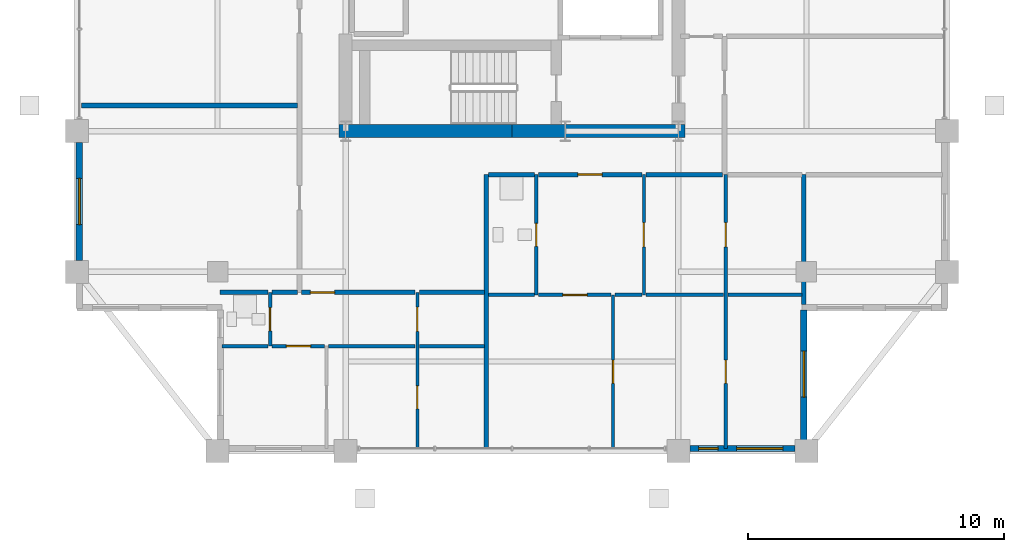
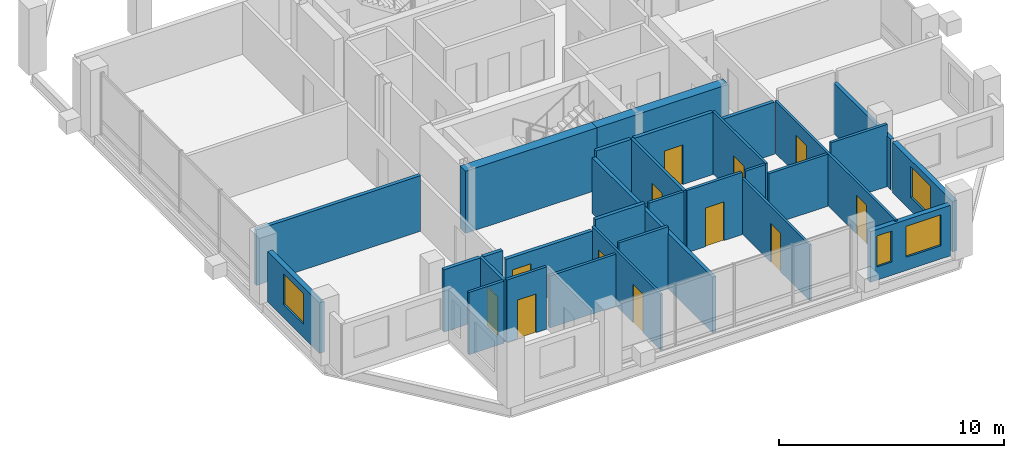
# One storey, part 12 of 16: 30 walls, 12 doors, 4 windows, 16 openings.
"""IFC4 building model written with IfcOpenShell, lengths in metres."""

from ifc_helpers import new_model, si_unit, direction, frame, frame_2d, origin, place, context, subcontext, project, spatial, rectangle, extrude, material, layer, layer_set, type_object, element, fill, save


model = new_model("IFC4")

# Units and contexts
model_context = context("Model", 3, precision=1e-05, world=origin(), true_north=direction((0.0, 1.0)))
body_context = subcontext(model_context, "Body", "Model", "MODEL_VIEW")
ifc_project = project(units=[si_unit("LENGTHUNIT", "METRE"), si_unit("AREAUNIT", "SQUARE_METRE"), si_unit("VOLUMEUNIT", "CUBIC_METRE"), si_unit("PLANEANGLEUNIT", "RADIAN"), si_unit("MASSUNIT", "GRAM", prefix="KILO")], contexts=[model_context])

# Site, building, storey
site_placement = place(None, origin())
site = spatial("IfcSite", under=ifc_project, at=site_placement, CompositionType="ELEMENT")
building_placement = place(site_placement, origin())
building = spatial("IfcBuilding", under=site, at=building_placement, Name="Barlavira Tower and Art Museum", CompositionType="ELEMENT")
storey_placement = place(building_placement, frame((0.0, 0.0, 265.5)))
storey = spatial("IfcBuildingStorey", under=building, at=storey_placement, Name="L69", CompositionType="ELEMENT", Elevation=265.5)

# Wall, openings, doors
ifc_material_1 = material(Name="Gypsum acoustic stud partition", Category="gypsum")
ifc_layer_1 = layer(ifc_material_1, 0.1201171875, Name="Gypsum acoustic stud partition")
ifc_layer_set_1 = layer_set([ifc_layer_1], Name="Gypsum acoustic stud partition")
wall_type_1 = type_object("IfcWallType", Name="Apartment Internal Acoustic Partition 120", PredefinedType="PARTITIONING", material=ifc_layer_set_1)
wall_1_placement = place(storey_placement, frame((-3.699951171875, -19.89990234375, 0.0), z_axis=(0.0, 0.0, 1.0), x_axis=(0.0, 1.0, 0.0)))
wall_1 = element("IfcWall", 1, at=wall_1_placement, inside=storey, type_object=wall_type_1, Name="L69 Partition Wall 6", PredefinedType="PARTITIONING", context=body_context, shape_type="SweptSolid", body=[
    extrude(rectangle(XDim=6.099853515625, YDim=0.1201171875, at=frame_2d((3.0498046875, 0.0))), origin(), (0.0, 0.0, 1.0), 3.01806640625),
])
opening_1_placement = place(wall_1_placement, frame((4.574951171875, 0.0, 0.0)))
opening_1 = element("IfcOpeningElement", 2, at=opening_1_placement, cuts=wall_1, Name="Opening D-02", PredefinedType="OPENING", context=body_context, shape_type="SweptSolid", body=[
    extrude(rectangle(XDim=0.949951171875, YDim=2.10009765625, at=frame_2d((0.47509765625, 1.050048828125))), frame((0.0, 0.070068359375, 0.0), z_axis=(0.0, -1.0, 0.0), x_axis=(1.0, 0.0, 0.0)), (0.0, 0.0, 1.0), 0.14013671875),
])
opening_2_placement = place(wall_1_placement, frame((1.550048828125, 0.0, 0.0)))
opening_2 = element("IfcOpeningElement", 3, at=opening_2_placement, cuts=wall_1, Name="Opening D-01", PredefinedType="OPENING", context=body_context, shape_type="SweptSolid", body=[
    extrude(rectangle(XDim=0.89990234375, YDim=2.10009765625, at=frame_2d((0.449951171875, 1.050048828125))), frame((0.0, 0.070068359375, 0.0), z_axis=(0.0, -1.0, 0.0), x_axis=(1.0, 0.0, 0.0)), (0.0, 0.0, 1.0), 0.14013671875),
])
ifc_material_2 = material(Name="Engineered coastal hardwood", Category="wood")
door_type_1 = type_object("IfcDoorType", Name="Internal Bedroom Timber Flush Door 900x2100", OperationType="NOTDEFINED", PredefinedType="DOOR", material=ifc_material_2)
door_1_placement = place(opening_2_placement, origin())
door_1 = element("IfcDoor", 4, at=door_1_placement, inside=storey, type_object=door_type_1, Name="Apartment WP-SW Bedroom 2 Door", OperationType="SINGLE_SWING_LEFT", OverallHeight=2.10009765625, OverallWidth=0.89990234375, PredefinedType="DOOR", context=body_context, shape_type="SweptSolid", body=[
    extrude(rectangle(XDim=0.89990234375, YDim=2.10009765625, at=frame_2d((0.449951171875, 1.050048828125))), frame((0.0, 0.02490234375, 0.0), z_axis=(0.0, -1.0, 0.0), x_axis=(1.0, 0.0, 0.0)), (0.0, 0.0, 1.0), 0.050048828125),
])
fill(opening_2, door_1)
door_type_2 = type_object("IfcDoorType", Name="Living and Salon Glazed-Leaf Door 950x2100", OperationType="NOTDEFINED", PredefinedType="DOOR", material=ifc_material_2)
door_2_placement = place(opening_1_placement, origin())
door_2 = element("IfcDoor", 5, at=door_2_placement, inside=storey, type_object=door_type_2, Name="Apartment WP-SW Kitchen Door", OperationType="SINGLE_SWING_RIGHT", OverallHeight=2.10009765625, OverallWidth=0.949951171875, PredefinedType="DOOR", context=body_context, shape_type="SweptSolid", body=[
    extrude(rectangle(XDim=0.949951171875, YDim=2.10009765625, at=frame_2d((0.47509765625, 1.050048828125))), frame((0.0, 0.02490234375, 0.0), z_axis=(0.0, -1.0, 0.0), x_axis=(1.0, 0.0, 0.0)), (0.0, 0.0, 1.0), 0.050048828125),
])
fill(opening_1, door_2)

# Wall, opening, door
wall_2_placement = place(storey_placement, frame((3.949951171875, -19.89990234375, 0.0), z_axis=(0.0, 0.0, 1.0), x_axis=(0.0, 1.0, 0.0)))
wall_2 = element("IfcWall", 6, at=wall_2_placement, inside=storey, type_object=wall_type_1, Name="L69 Partition Wall 9", PredefinedType="PARTITIONING", context=body_context, shape_type="SweptSolid", body=[
    extrude(rectangle(XDim=6.0, YDim=0.1201171875, at=frame_2d((3.0, 0.0))), origin(), (0.0, 0.0, 1.0), 3.01806640625),
])
opening_3_placement = place(wall_2_placement, frame((2.550048828125, 0.0, 0.0)))
opening_3 = element("IfcOpeningElement", 7, at=opening_3_placement, cuts=wall_2, Name="Opening D-01", PredefinedType="OPENING", context=body_context, shape_type="SweptSolid", body=[
    extrude(rectangle(XDim=0.89990234375, YDim=2.10009765625, at=frame_2d((0.449951171875, 1.050048828125))), frame((0.0, 0.070068359375, 0.0), z_axis=(0.0, -1.0, 0.0), x_axis=(1.0, 0.0, 0.0)), (0.0, 0.0, 1.0), 0.14013671875),
])
door_3_placement = place(opening_3_placement, origin())
door_3 = element("IfcDoor", 8, at=door_3_placement, inside=storey, type_object=door_type_1, Name="Apartment WP-SE Bedroom 1 Door", OperationType="SINGLE_SWING_LEFT", OverallHeight=2.10009765625, OverallWidth=0.89990234375, PredefinedType="DOOR", context=body_context, shape_type="SweptSolid", body=[
    extrude(rectangle(XDim=0.89990234375, YDim=2.10009765625, at=frame_2d((0.449951171875, 1.050048828125))), frame((0.0, 0.02490234375, 0.0), z_axis=(0.0, -1.0, 0.0), x_axis=(1.0, 0.0, 0.0)), (0.0, 0.0, 1.0), 0.050048828125),
])
fill(opening_3, door_3)

wall_3_placement = place(storey_placement, frame((5.14990234375, -13.89990234375, 0.0), z_axis=(0.0, 0.0, 1.0), x_axis=(0.0, 1.0, 0.0)))
wall_3 = element("IfcWall", 9, at=wall_3_placement, inside=storey, type_object=wall_type_1, Name="L69 Partition Wall 12", PredefinedType="PARTITIONING", context=body_context, shape_type="SweptSolid", body=[
    extrude(rectangle(XDim=4.699951171875, YDim=0.1201171875, at=frame_2d((2.35009765625, 0.0))), origin(), (0.0, 0.0, 1.0), 3.3798828125),
])
opening_4_placement = place(wall_3_placement, frame((1.875, 0.0, 0.0)))
opening_4 = element("IfcOpeningElement", 10, at=opening_4_placement, cuts=wall_3, Name="Opening D-02", PredefinedType="OPENING", context=body_context, shape_type="SweptSolid", body=[
    extrude(rectangle(XDim=0.949951171875, YDim=2.10009765625, at=frame_2d((0.47509765625, 1.050048828125))), frame((0.0, 0.070068359375, 0.0), z_axis=(0.0, -1.0, 0.0), x_axis=(1.0, 0.0, 0.0)), (0.0, 0.0, 1.0), 0.14013671875),
])
door_4_placement = place(opening_4_placement, origin())
door_4 = element("IfcDoor", 11, at=door_4_placement, inside=storey, type_object=door_type_2, Name="Apartment WP-SE Kitchen Door", OperationType="SINGLE_SWING_RIGHT", OverallHeight=2.10009765625, OverallWidth=0.949951171875, PredefinedType="DOOR", context=body_context, shape_type="SweptSolid", body=[
    extrude(rectangle(XDim=0.949951171875, YDim=2.10009765625, at=frame_2d((0.47509765625, 1.050048828125))), frame((0.0, 0.02490234375, 0.0), z_axis=(0.0, -1.0, 0.0), x_axis=(1.0, 0.0, 0.0)), (0.0, 0.0, 1.0), 0.050048828125),
])
fill(opening_4, door_4)

# Wall, openings, doors
wall_4_placement = place(storey_placement, frame((8.35009765625, -19.89990234375, 0.0), z_axis=(0.0, 0.0, 1.0), x_axis=(0.0, 1.0, 0.0)))
wall_4 = element("IfcWall", 12, at=wall_4_placement, inside=storey, type_object=wall_type_1, Name="L69 Partition Wall 17", PredefinedType="PARTITIONING", context=body_context, shape_type="SweptSolid", body=[
    extrude(rectangle(XDim=10.699951171875, YDim=0.1201171875, at=frame_2d((5.35009765625, 0.0))), origin(), (0.0, 0.0, 1.0), 2.825927734375),
])
opening_5_placement = place(wall_4_placement, frame((7.875, 0.0, 0.0)))
opening_5 = element("IfcOpeningElement", 13, at=opening_5_placement, cuts=wall_4, Name="Opening D-02", PredefinedType="OPENING", context=body_context, shape_type="SweptSolid", body=[
    extrude(rectangle(XDim=0.949951171875, YDim=2.10009765625, at=frame_2d((0.47509765625, 1.050048828125))), frame((0.0, 0.070068359375, 0.0), z_axis=(0.0, -1.0, 0.0), x_axis=(1.0, 0.0, 0.0)), (0.0, 0.0, 1.0), 0.14013671875),
])
opening_6_placement = place(wall_4_placement, frame((2.550048828125, 0.0, 0.0)))
opening_6 = element("IfcOpeningElement", 14, at=opening_6_placement, cuts=wall_4, Name="Opening D-01", PredefinedType="OPENING", context=body_context, shape_type="SweptSolid", body=[
    extrude(rectangle(XDim=0.89990234375, YDim=2.10009765625, at=frame_2d((0.449951171875, 1.050048828125))), frame((0.0, 0.070068359375, 0.0), z_axis=(0.0, -1.0, 0.0), x_axis=(1.0, 0.0, 0.0)), (0.0, 0.0, 1.0), 0.14013671875),
])
door_5_placement = place(opening_6_placement, origin())
door_5 = element("IfcDoor", 15, at=door_5_placement, inside=storey, type_object=door_type_1, Name="Apartment WP-SE Bedroom 2 Door", OperationType="SINGLE_SWING_RIGHT", OverallHeight=2.10009765625, OverallWidth=0.89990234375, PredefinedType="DOOR", context=body_context, shape_type="SweptSolid", body=[
    extrude(rectangle(XDim=0.89990234375, YDim=2.10009765625, at=frame_2d((0.449951171875, 1.050048828125))), frame((0.0, 0.02490234375, 0.0), z_axis=(0.0, -1.0, 0.0), x_axis=(1.0, 0.0, 0.0)), (0.0, 0.0, 1.0), 0.050048828125),
])
fill(opening_6, door_5)
door_6_placement = place(opening_5_placement, origin())
door_6 = element("IfcDoor", 16, at=door_6_placement, inside=storey, type_object=door_type_2, Name="Apartment WP-SE Dining Salon Door", OperationType="SINGLE_SWING_LEFT", OverallHeight=2.10009765625, OverallWidth=0.949951171875, PredefinedType="DOOR", context=body_context, shape_type="SweptSolid", body=[
    extrude(rectangle(XDim=0.949951171875, YDim=2.10009765625, at=frame_2d((0.47509765625, 1.050048828125))), frame((0.0, 0.02490234375, 0.0), z_axis=(0.0, -1.0, 0.0), x_axis=(1.0, 0.0, 0.0)), (0.0, 0.0, 1.0), 0.050048828125),
])
fill(opening_5, door_6)

# Walls
ifc_material_3 = material(Name="Concrete C60", Category="concrete")
ifc_layer_2 = layer(ifc_material_3, 0.5, Name="Concrete C60")
ifc_layer_set_2 = layer_set([ifc_layer_2], Name="Concrete C60")
wall_type_2 = type_object("IfcWallType", Name="Core Structural Shear Wall 500 Concrete C60", PredefinedType="SHEAR", material=ifc_layer_set_2)
for number, where, z_axis, x_axis, name in (
    (17, (-6.75, -7.5, 0.0), (0.0, 0.0, 1.0), (1.0, 0.0, 0.0), "L69 Core Shear Wall CS-SW"),
    (18, (0.0, -7.5, 0.0), (0.0, 0.0, 1.0), (1.0, 0.0, 0.0), "L69 Core Shear Wall CS-SE"),
):
    element("IfcWall", number, at=place(storey_placement, frame(where, z_axis=z_axis, x_axis=x_axis)), inside=storey, type_object=wall_type_2, Name=name, PredefinedType="SHEAR", context=body_context, shape_type="SweptSolid", body=[
        extrude(rectangle(XDim=6.75, YDim=0.5, at=frame_2d((3.375, 0.0))), origin(), (0.0, 0.0, 1.0), 3.3798828125),
    ])
ifc_layer_3 = layer(ifc_material_1, 0.179931640625, Name="Gypsum acoustic stud partition")
ifc_layer_set_3 = layer_set([ifc_layer_3], Name="Gypsum acoustic stud partition")
wall_type_3 = type_object("IfcWallType", Name="Inter-Tenancy Party Partition Wall 180", PredefinedType="PARTITIONING", material=ifc_layer_set_3)
wall_5_placement = place(storey_placement, frame((-1.0, -19.89990234375, 0.0), z_axis=(0.0, 0.0, 1.0), x_axis=(0.0, 1.0, 0.0)))
element("IfcWall", 19, at=wall_5_placement, inside=storey, type_object=wall_type_3, Name="L69 Partition Wall 7", PredefinedType="PARTITIONING", context=body_context, shape_type="SweptSolid", body=[
    extrude(rectangle(XDim=10.699951171875, YDim=0.179931640625, at=frame_2d((5.35009765625, 0.0))), origin(), (0.0, 0.0, 1.0), 3.01806640625),
])
wall_6_placement = place(storey_placement, frame((11.39990234375, -14.27001953125, 0.0), z_axis=(0.0, 0.0, 1.0), x_axis=(0.0, 1.0, 0.0)))
element("IfcWall", 20, at=wall_6_placement, inside=storey, type_object=wall_type_3, Name="L69 Partition Wall 19", PredefinedType="PARTITIONING", context=body_context, shape_type="SweptSolid", body=[
    extrude(rectangle(XDim=5.070068359375, YDim=0.179931640625, at=frame_2d((2.53515625, 0.0))), origin(), (0.0, 0.0, 1.0), 2.748046875),
])
wall_7_placement = place(storey_placement, frame((-11.39990234375, -13.800048828125, 0.0), z_axis=(0.0, 0.0, 1.0), x_axis=(1.0, 0.0, 0.0)))
element("IfcWall", 21, at=wall_7_placement, inside=storey, type_object=wall_type_3, Name="L69 Partition Wall 29", PredefinedType="PARTITIONING", context=body_context, shape_type="SweptSolid", body=[
    extrude(rectangle(XDim=1.869873046875, YDim=0.179931640625, at=frame_2d((0.93505859375, 0.0))), origin(), (0.0, 0.0, 1.0), 3.3798828125),
])
wall_8_placement = place(storey_placement, frame((-9.3701171875, -13.800048828125, 0.0), z_axis=(0.0, 0.0, 1.0), x_axis=(1.0, 0.0, 0.0)))
element("IfcWall", 22, at=wall_8_placement, inside=storey, type_object=wall_type_3, Name="L69 Partition Wall 30", PredefinedType="PARTITIONING", context=body_context, shape_type="SweptSolid", body=[
    extrude(rectangle(XDim=0.990234375, YDim=0.179931640625, at=frame_2d((0.4951171875, 0.0))), origin(), (0.0, 0.0, 1.0), 3.3798828125),
])

# Wall, opening, door
wall_9_placement = place(storey_placement, frame((-8.219970703125, -13.800048828125, 0.0), z_axis=(0.0, 0.0, 1.0), x_axis=(1.0, 0.0, 0.0)))
wall_9 = element("IfcWall", 23, at=wall_9_placement, inside=storey, type_object=wall_type_3, Name="L69 Partition Wall 31", PredefinedType="PARTITIONING", context=body_context, shape_type="SweptSolid", body=[
    extrude(rectangle(XDim=4.43994140625, YDim=0.179931640625, at=frame_2d((2.219970703125, 0.0))), origin(), (0.0, 0.0, 1.0), 2.825927734375),
])
opening_7_placement = place(wall_9_placement, frame((0.344970703125, 0.0, 0.0)))
opening_7 = element("IfcOpeningElement", 24, at=opening_7_placement, cuts=wall_9, Name="Opening FD-60", PredefinedType="OPENING", context=body_context, shape_type="SweptSolid", body=[
    extrude(rectangle(XDim=0.949951171875, YDim=2.14990234375, at=frame_2d((0.47509765625, 1.074951171875))), frame((0.0, 0.10009765625, 0.0), z_axis=(0.0, -1.0, 0.0), x_axis=(1.0, 0.0, 0.0)), (0.0, 0.0, 1.0), 0.199951171875),
])
ifc_material_4 = material(Name="Brushed stainless steel", Category="steel")
door_type_3 = type_object("IfcDoorType", Name="Apartment Entrance and Riser Fire Door 950x2150 FD60S", OperationType="NOTDEFINED", PredefinedType="DOOR", material=ifc_material_4)
door_7_placement = place(opening_7_placement, origin())
door_7 = element("IfcDoor", 25, at=door_7_placement, inside=storey, type_object=door_type_3, Name="Apartment Entrance Hall WP-SW Door", OperationType="SINGLE_SWING_LEFT", OverallHeight=2.14990234375, OverallWidth=0.949951171875, PredefinedType="DOOR", context=body_context, shape_type="SweptSolid", body=[
    extrude(rectangle(XDim=0.949951171875, YDim=2.14990234375, at=frame_2d((0.47509765625, 1.074951171875))), frame((0.0, 0.02490234375, 0.0), z_axis=(0.0, -1.0, 0.0), x_axis=(1.0, 0.0, 0.0)), (0.0, 0.0, 1.0), 0.050048828125),
])
fill(opening_7, door_7)

# Walls
wall_10_placement = place(storey_placement, frame((-3.6201171875, -13.800048828125, 0.0), z_axis=(0.0, 0.0, 1.0), x_axis=(1.0, 0.0, 0.0)))
element("IfcWall", 26, at=wall_10_placement, inside=storey, type_object=wall_type_3, Name="L69 Partition Wall 32", PredefinedType="PARTITIONING", context=body_context, shape_type="SweptSolid", body=[
    extrude(rectangle(XDim=2.5400390625, YDim=0.179931640625, at=frame_2d((1.27001953125, 0.0))), origin(), (0.0, 0.0, 1.0), 3.3798828125),
])
wall_11_placement = place(storey_placement, frame((-0.919921875, -9.199951171875, 0.0), z_axis=(0.0, 0.0, 1.0), x_axis=(1.0, 0.0, 0.0)))
element("IfcWall", 27, at=wall_11_placement, inside=storey, type_object=wall_type_3, Name="L69 Partition Wall 33", PredefinedType="PARTITIONING", context=body_context, shape_type="SweptSolid", body=[
    extrude(rectangle(XDim=1.7900390625, YDim=0.179931640625, at=frame_2d((0.89501953125, 0.0))), origin(), (0.0, 0.0, 1.0), 3.3798828125),
])

# Wall, opening, door
wall_12_placement = place(storey_placement, frame((1.030029296875, -9.199951171875, 0.0), z_axis=(0.0, 0.0, 1.0), x_axis=(1.0, 0.0, 0.0)))
wall_12 = element("IfcWall", 28, at=wall_12_placement, inside=storey, type_object=wall_type_3, Name="L69 Partition Wall 34", PredefinedType="PARTITIONING", context=body_context, shape_type="SweptSolid", body=[
    extrude(rectangle(XDim=4.0400390625, YDim=0.179931640625, at=frame_2d((2.02001953125, 0.0))), origin(), (0.0, 0.0, 1.0), 3.3798828125),
])
opening_8_placement = place(wall_12_placement, frame((1.544921875, 0.0, 0.0)))
opening_8 = element("IfcOpeningElement", 29, at=opening_8_placement, cuts=wall_12, Name="Opening FD-60", PredefinedType="OPENING", context=body_context, shape_type="SweptSolid", body=[
    extrude(rectangle(XDim=0.949951171875, YDim=2.14990234375, at=frame_2d((0.47509765625, 1.074951171875))), frame((0.0, 0.10009765625, 0.0), z_axis=(0.0, -1.0, 0.0), x_axis=(1.0, 0.0, 0.0)), (0.0, 0.0, 1.0), 0.199951171875),
])
door_8_placement = place(opening_8_placement, origin())
door_8 = element("IfcDoor", 30, at=door_8_placement, inside=storey, type_object=door_type_3, Name="Apartment Entrance Hall WP-SE Door", OperationType="SINGLE_SWING_LEFT", OverallHeight=2.14990234375, OverallWidth=0.949951171875, PredefinedType="DOOR", context=body_context, shape_type="SweptSolid", body=[
    extrude(rectangle(XDim=0.949951171875, YDim=2.14990234375, at=frame_2d((0.47509765625, 1.074951171875))), frame((0.0, 0.02490234375, 0.0), z_axis=(0.0, -1.0, 0.0), x_axis=(1.0, 0.0, 0.0)), (0.0, 0.0, 1.0), 0.050048828125),
])
fill(opening_8, door_8)

# Walls
wall_13_placement = place(storey_placement, frame((5.22998046875, -9.199951171875, 0.0), z_axis=(0.0, 0.0, 1.0), x_axis=(1.0, 0.0, 0.0)))
element("IfcWall", 31, at=wall_13_placement, inside=storey, type_object=wall_type_3, Name="L69 Partition Wall 35", PredefinedType="PARTITIONING", context=body_context, shape_type="SweptSolid", body=[
    extrude(rectangle(XDim=2.989990234375, YDim=0.179931640625, at=frame_2d((1.4951171875, 0.0))), origin(), (0.0, 0.0, 1.0), 2.825927734375),
])
wall_14_placement = place(storey_placement, frame((-16.820068359375, -6.5, 0.0), z_axis=(0.0, 0.0, 1.0), x_axis=(1.0, 0.0, 0.0)))
element("IfcWall", 32, at=wall_14_placement, inside=storey, type_object=wall_type_3, Name="L69 Partition Wall 38", PredefinedType="PARTITIONING", context=body_context, shape_type="SweptSolid", body=[
    extrude(rectangle(XDim=8.440185546875, YDim=0.179931640625, at=frame_2d((4.22021484375, 0.0))), origin(), (0.0, 0.0, 1.0), 3.01806640625),
])

# Wall, opening, door
ifc_layer_4 = layer(ifc_material_1, 0.139892578125, Name="Gypsum acoustic stud partition")
ifc_layer_set_4 = layer_set([ifc_layer_4], Name="Gypsum acoustic stud partition")
wall_type_4 = type_object("IfcWallType", Name="Moisture-Resistant Bathroom Partition 140", PredefinedType="PARTITIONING", material=ifc_layer_set_4)
wall_15_placement = place(storey_placement, frame((-9.449951171875, -15.89990234375, 0.0), z_axis=(0.0, 0.0, 1.0), x_axis=(0.0, 1.0, 0.0)))
wall_15 = element("IfcWall", 33, at=wall_15_placement, inside=storey, type_object=wall_type_4, Name="L69 Partition Wall 1", PredefinedType="PARTITIONING", context=body_context, shape_type="SweptSolid", body=[
    extrude(rectangle(XDim=2.099853515625, YDim=0.139892578125, at=frame_2d((1.0498046875, 0.0))), origin(), (0.0, 0.0, 1.0), 3.3798828125),
])
opening_9_placement = place(wall_15_placement, frame((0.60009765625, 0.0, 0.0)))
opening_9 = element("IfcOpeningElement", 34, at=opening_9_placement, cuts=wall_15, Name="Opening D-WC", PredefinedType="OPENING", context=body_context, shape_type="SweptSolid", body=[
    extrude(rectangle(XDim=0.89990234375, YDim=2.10009765625, at=frame_2d((0.449951171875, 1.050048828125))), frame((0.0, 0.080078125, 0.0), z_axis=(0.0, -1.0, 0.0), x_axis=(1.0, 0.0, 0.0)), (0.0, 0.0, 1.0), 0.159912109375),
])
door_type_4 = type_object("IfcDoorType", Name="Accessible Bathroom Flush Door 900x2100", OperationType="NOTDEFINED", PredefinedType="DOOR", material=ifc_material_2)
door_9_placement = place(opening_9_placement, origin())
door_9 = element("IfcDoor", 35, at=door_9_placement, inside=storey, type_object=door_type_4, Name="Apartment WP-SW Hall Bathroom Door", OperationType="SINGLE_SWING_RIGHT", OverallHeight=2.10009765625, OverallWidth=0.89990234375, PredefinedType="DOOR", context=body_context, shape_type="SweptSolid", body=[
    extrude(rectangle(XDim=0.89990234375, YDim=2.10009765625, at=frame_2d((0.449951171875, 1.050048828125))), frame((0.0, 0.02490234375, 0.0), z_axis=(0.0, -1.0, 0.0), x_axis=(1.0, 0.0, 0.0)), (0.0, 0.0, 1.0), 0.050048828125),
])
fill(opening_9, door_9)

wall_16_placement = place(storey_placement, frame((0.949951171875, -13.89990234375, 0.0), z_axis=(0.0, 0.0, 1.0), x_axis=(0.0, 1.0, 0.0)))
wall_16 = element("IfcWall", 36, at=wall_16_placement, inside=storey, type_object=wall_type_4, Name="L69 Partition Wall 8", PredefinedType="PARTITIONING", context=body_context, shape_type="SweptSolid", body=[
    extrude(rectangle(XDim=4.699951171875, YDim=0.139892578125, at=frame_2d((2.35009765625, 0.0))), origin(), (0.0, 0.0, 1.0), 3.3798828125),
])
opening_10_placement = place(wall_16_placement, frame((1.89990234375, 0.0, 0.0)))
opening_10 = element("IfcOpeningElement", 37, at=opening_10_placement, cuts=wall_16, Name="Opening D-WC", PredefinedType="OPENING", context=body_context, shape_type="SweptSolid", body=[
    extrude(rectangle(XDim=0.89990234375, YDim=2.10009765625, at=frame_2d((0.449951171875, 1.050048828125))), frame((0.0, 0.080078125, 0.0), z_axis=(0.0, -1.0, 0.0), x_axis=(1.0, 0.0, 0.0)), (0.0, 0.0, 1.0), 0.159912109375),
])
door_10_placement = place(opening_10_placement, origin())
door_10 = element("IfcDoor", 38, at=door_10_placement, inside=storey, type_object=door_type_4, Name="Apartment WP-SE Hall Bathroom Door", OperationType="SINGLE_SWING_RIGHT", OverallHeight=2.10009765625, OverallWidth=0.89990234375, PredefinedType="DOOR", context=body_context, shape_type="SweptSolid", body=[
    extrude(rectangle(XDim=0.89990234375, YDim=2.10009765625, at=frame_2d((0.449951171875, 1.050048828125))), frame((0.0, 0.02490234375, 0.0), z_axis=(0.0, -1.0, 0.0), x_axis=(1.0, 0.0, 0.0)), (0.0, 0.0, 1.0), 0.050048828125),
])
fill(opening_10, door_10)

# Wall
wall_17_placement = place(storey_placement, frame((-11.320068359375, -15.89990234375, 0.0), z_axis=(0.0, 0.0, 1.0), x_axis=(1.0, 0.0, 0.0)))
element("IfcWall", 39, at=wall_17_placement, inside=storey, type_object=wall_type_4, Name="L69 Partition Wall 20", PredefinedType="PARTITIONING", context=body_context, shape_type="SweptSolid", body=[
    extrude(rectangle(XDim=1.7900390625, YDim=0.139892578125, at=frame_2d((0.89501953125, 0.0))), origin(), (0.0, 0.0, 1.0), 3.3798828125),
])

# Wall, opening, door
wall_18_placement = place(storey_placement, frame((-9.3701171875, -15.89990234375, 0.0), z_axis=(0.0, 0.0, 1.0), x_axis=(1.0, 0.0, 0.0)))
wall_18 = element("IfcWall", 40, at=wall_18_placement, inside=storey, type_object=wall_type_4, Name="L69 Partition Wall 21", PredefinedType="PARTITIONING", context=body_context, shape_type="SweptSolid", body=[
    extrude(rectangle(XDim=2.0400390625, YDim=0.139892578125, at=frame_2d((1.02001953125, 0.0))), origin(), (0.0, 0.0, 1.0), 3.3798828125),
])
opening_11_placement = place(wall_18_placement, frame((0.554931640625, 0.0, 0.0)))
opening_11 = element("IfcOpeningElement", 41, at=opening_11_placement, cuts=wall_18, Name="Opening D-02", PredefinedType="OPENING", context=body_context, shape_type="SweptSolid", body=[
    extrude(rectangle(XDim=0.949951171875, YDim=2.10009765625, at=frame_2d((0.47509765625, 1.050048828125))), frame((0.0, 0.080078125, 0.0), z_axis=(0.0, -1.0, 0.0), x_axis=(1.0, 0.0, 0.0)), (0.0, 0.0, 1.0), 0.159912109375),
])
door_11_placement = place(opening_11_placement, origin())
door_11 = element("IfcDoor", 42, at=door_11_placement, inside=storey, type_object=door_type_2, Name="Apartment WP-SW Living Lounge Door", OperationType="SINGLE_SWING_LEFT", OverallHeight=2.10009765625, OverallWidth=0.949951171875, PredefinedType="DOOR", context=body_context, shape_type="SweptSolid", body=[
    extrude(rectangle(XDim=0.949951171875, YDim=2.10009765625, at=frame_2d((0.47509765625, 1.050048828125))), frame((0.0, 0.02490234375, 0.0), z_axis=(0.0, -1.0, 0.0), x_axis=(1.0, 0.0, 0.0)), (0.0, 0.0, 1.0), 0.050048828125),
])
fill(opening_11, door_11)

# Walls
wall_19_placement = place(storey_placement, frame((-7.169921875, -15.89990234375, 0.0), z_axis=(0.0, 0.0, 1.0), x_axis=(1.0, 0.0, 0.0)))
element("IfcWall", 43, at=wall_19_placement, inside=storey, type_object=wall_type_4, Name="L69 Partition Wall 22", PredefinedType="PARTITIONING", context=body_context, shape_type="SweptSolid", body=[
    extrude(rectangle(XDim=3.389892578125, YDim=0.139892578125, at=frame_2d((1.69482421875, 0.0))), origin(), (0.0, 0.0, 1.0), 2.825927734375),
])
wall_20_placement = place(storey_placement, frame((-3.6201171875, -15.89990234375, 0.0), z_axis=(0.0, 0.0, 1.0), x_axis=(1.0, 0.0, 0.0)))
element("IfcWall", 44, at=wall_20_placement, inside=storey, type_object=wall_type_4, Name="L69 Partition Wall 23", PredefinedType="PARTITIONING", context=body_context, shape_type="SweptSolid", body=[
    extrude(rectangle(XDim=2.5400390625, YDim=0.139892578125, at=frame_2d((1.27001953125, 0.0))), origin(), (0.0, 0.0, 1.0), 3.3798828125),
])
wall_21_placement = place(storey_placement, frame((-0.919921875, -13.89990234375, 0.0), z_axis=(0.0, 0.0, 1.0), x_axis=(1.0, 0.0, 0.0)))
element("IfcWall", 45, at=wall_21_placement, inside=storey, type_object=wall_type_4, Name="L69 Partition Wall 24", PredefinedType="PARTITIONING", context=body_context, shape_type="SweptSolid", body=[
    extrude(rectangle(XDim=1.7900390625, YDim=0.139892578125, at=frame_2d((0.89501953125, 0.0))), origin(), (0.0, 0.0, 1.0), 3.3798828125),
])

# Wall, opening, door
wall_22_placement = place(storey_placement, frame((1.030029296875, -13.89990234375, 0.0), z_axis=(0.0, 0.0, 1.0), x_axis=(1.0, 0.0, 0.0)))
wall_22 = element("IfcWall", 46, at=wall_22_placement, inside=storey, type_object=wall_type_4, Name="L69 Partition Wall 25", PredefinedType="PARTITIONING", context=body_context, shape_type="SweptSolid", body=[
    extrude(rectangle(XDim=2.840087890625, YDim=0.139892578125, at=frame_2d((1.419921875, 0.0))), origin(), (0.0, 0.0, 1.0), 3.3798828125),
])
opening_12_placement = place(wall_22_placement, frame((0.955078125, 0.0, 0.0)))
opening_12 = element("IfcOpeningElement", 47, at=opening_12_placement, cuts=wall_22, Name="Opening D-02", PredefinedType="OPENING", context=body_context, shape_type="SweptSolid", body=[
    extrude(rectangle(XDim=0.949951171875, YDim=2.10009765625, at=frame_2d((0.47509765625, 1.050048828125))), frame((0.0, 0.080078125, 0.0), z_axis=(0.0, -1.0, 0.0), x_axis=(1.0, 0.0, 0.0)), (0.0, 0.0, 1.0), 0.159912109375),
])
door_12_placement = place(opening_12_placement, origin())
door_12 = element("IfcDoor", 48, at=door_12_placement, inside=storey, type_object=door_type_2, Name="Apartment WP-SE Living Lounge Door", OperationType="SINGLE_SWING_RIGHT", OverallHeight=2.10009765625, OverallWidth=0.949951171875, PredefinedType="DOOR", context=body_context, shape_type="SweptSolid", body=[
    extrude(rectangle(XDim=0.949951171875, YDim=2.10009765625, at=frame_2d((0.47509765625, 1.050048828125))), frame((0.0, 0.02490234375, 0.0), z_axis=(0.0, -1.0, 0.0), x_axis=(1.0, 0.0, 0.0)), (0.0, 0.0, 1.0), 0.050048828125),
])
fill(opening_12, door_12)

# Walls
wall_23_placement = place(storey_placement, frame((4.030029296875, -13.89990234375, 0.0), z_axis=(0.0, 0.0, 1.0), x_axis=(1.0, 0.0, 0.0)))
element("IfcWall", 49, at=wall_23_placement, inside=storey, type_object=wall_type_4, Name="L69 Partition Wall 26", PredefinedType="PARTITIONING", context=body_context, shape_type="SweptSolid", body=[
    extrude(rectangle(XDim=1.0400390625, YDim=0.139892578125, at=frame_2d((0.52001953125, 0.0))), origin(), (0.0, 0.0, 1.0), 3.3798828125),
])
wall_24_placement = place(storey_placement, frame((5.22998046875, -13.89990234375, 0.0), z_axis=(0.0, 0.0, 1.0), x_axis=(1.0, 0.0, 0.0)))
element("IfcWall", 50, at=wall_24_placement, inside=storey, type_object=wall_type_4, Name="L69 Partition Wall 27", PredefinedType="PARTITIONING", context=body_context, shape_type="SweptSolid", body=[
    extrude(rectangle(XDim=3.0400390625, YDim=0.139892578125, at=frame_2d((1.52001953125, 0.0))), origin(), (0.0, 0.0, 1.0), 2.825927734375),
])
wall_25_placement = place(storey_placement, frame((8.429931640625, -13.89990234375, 0.0), z_axis=(0.0, 0.0, 1.0), x_axis=(1.0, 0.0, 0.0)))
element("IfcWall", 51, at=wall_25_placement, inside=storey, type_object=wall_type_4, Name="L69 Partition Wall 28", PredefinedType="PARTITIONING", context=body_context, shape_type="SweptSolid", body=[
    extrude(rectangle(XDim=2.89013671875, YDim=0.139892578125, at=frame_2d((1.445068359375, 0.0))), origin(), (0.0, 0.0, 1.0), 3.3798828125),
])

# Wall, openings, windows
ifc_material_5 = material(Name="Precast concrete C40", Category="concrete")
ifc_layer_5 = layer(ifc_material_5, 0.25, Name="Precast concrete C40")
ifc_layer_set_5 = layer_set([ifc_layer_5], Name="Precast concrete C40")
wall_type_5 = type_object("IfcWallType", Name="Notched Corner Spandrel Wall 250 Precast Concrete C40", PredefinedType="SOLIDWALL", material=ifc_layer_set_5)
wall_26_placement = place(storey_placement, frame((6.945068359375, -19.89990234375, 0.0), z_axis=(0.0, 0.0, 1.0), x_axis=(1.0, 0.0, 0.0)))
wall_26 = element("IfcWall", 52, at=wall_26_placement, inside=storey, type_object=wall_type_5, Name="L69 Coastal Facade Pier Wall CW4-L69-S-3", PredefinedType="SOLIDWALL", context=body_context, shape_type="SweptSolid", body=[
    extrude(rectangle(XDim=4.10986328125, YDim=0.25, at=frame_2d((2.054931640625, 0.0))), origin(), (0.0, 0.0, 1.0), 2.748046875),
])
opening_13_placement = place(wall_26_placement, frame((0.344970703125, 0.0, 0.719970703125)))
opening_13 = element("IfcOpeningElement", 53, at=opening_13_placement, cuts=wall_26, Name="Opening WN-06", PredefinedType="OPENING", context=body_context, shape_type="SweptSolid", body=[
    extrude(rectangle(XDim=0.760009765625, YDim=1.679931640625, at=frame_2d((0.3798828125, 0.83984375))), frame((0.0, 0.135009765625, 0.0), z_axis=(0.0, -1.0, 0.0), x_axis=(1.0, 0.0, 0.0)), (0.0, 0.0, 1.0), 0.27001953125),
])
opening_14_placement = place(wall_26_placement, frame((1.8349609375, 0.0, 0.719970703125)))
opening_14 = element("IfcOpeningElement", 54, at=opening_14_placement, cuts=wall_26, Name="Opening WN-01", PredefinedType="OPENING", context=body_context, shape_type="SweptSolid", body=[
    extrude(rectangle(XDim=1.800048828125, YDim=1.679931640625, at=frame_2d((0.89990234375, 0.83984375))), frame((0.0, 0.135009765625, 0.0), z_axis=(0.0, -1.0, 0.0), x_axis=(1.0, 0.0, 0.0)), (0.0, 0.0, 1.0), 0.27001953125),
])
ifc_material_6 = material(Name="Low-iron coastal laminated glass", Category="glass")
window_type_1 = type_object("IfcWindowType", Name="Recessed Narrow Pier Window 760x1680", PartitioningType="SINGLE_PANEL", PredefinedType="WINDOW", material=ifc_material_6)
window_1_placement = place(opening_13_placement, origin())
window_1 = element("IfcWindow", 55, at=window_1_placement, inside=storey, type_object=window_type_1, Name="L69 Punched Facade Window EWP-CW4-L69-S-3-1", OverallHeight=1.679931640625, OverallWidth=0.760009765625, PartitioningType="SINGLE_PANEL", PredefinedType="WINDOW", context=body_context, shape_type="SweptSolid", body=[
    extrude(rectangle(XDim=0.760009765625, YDim=1.679931640625, at=frame_2d((0.3798828125, 0.83984375))), frame((0.0, 0.030029296875, 0.0), z_axis=(0.0, -1.0, 0.0), x_axis=(1.0, 0.0, 0.0)), (0.0, 0.0, 1.0), 0.06005859375),
])
fill(opening_13, window_1)
window_type_2 = type_object("IfcWindowType", Name="Recessed Notch Corner Punch Window 1800x1680", PartitioningType="SINGLE_PANEL", PredefinedType="WINDOW", material=ifc_material_6)
window_2_placement = place(opening_14_placement, origin())
window_2 = element("IfcWindow", 56, at=window_2_placement, inside=storey, type_object=window_type_2, Name="L69 Punched Facade Window EWP-CW4-L69-S-3-2", OverallHeight=1.679931640625, OverallWidth=1.800048828125, PartitioningType="SINGLE_PANEL", PredefinedType="WINDOW", context=body_context, shape_type="SweptSolid", body=[
    extrude(rectangle(XDim=1.800048828125, YDim=1.679931640625, at=frame_2d((0.89990234375, 0.83984375))), frame((0.0, 0.030029296875, 0.0), z_axis=(0.0, -1.0, 0.0), x_axis=(1.0, 0.0, 0.0)), (0.0, 0.0, 1.0), 0.06005859375),
])
fill(opening_14, window_2)

# Wall, opening, window
wall_27_placement = place(storey_placement, frame((-16.89990234375, -7.945068359375, 0.0), z_axis=(0.0, 0.0, 1.0), x_axis=(0.0, -1.0, 0.0)))
wall_27 = element("IfcWall", 57, at=wall_27_placement, inside=storey, type_object=wall_type_5, Name="L69 Coastal Facade Pier Wall CW4-L69-W-3", PredefinedType="SOLIDWALL", context=body_context, shape_type="SweptSolid", body=[
    extrude(rectangle(XDim=4.60986328125, YDim=0.25, at=frame_2d((2.304931640625, 0.0))), origin(), (0.0, 0.0, 1.0), 2.748046875),
])
opening_15_placement = place(wall_27_placement, frame((1.405029296875, 0.0, 0.719970703125)))
opening_15 = element("IfcOpeningElement", 58, at=opening_15_placement, cuts=wall_27, Name="Opening WN-01", PredefinedType="OPENING", context=body_context, shape_type="SweptSolid", body=[
    extrude(rectangle(XDim=1.800048828125, YDim=1.679931640625, at=frame_2d((0.89990234375, 0.83984375))), frame((0.0, 0.135009765625, 0.0), z_axis=(0.0, -1.0, 0.0), x_axis=(1.0, 0.0, 0.0)), (0.0, 0.0, 1.0), 0.27001953125),
])
window_3_placement = place(opening_15_placement, origin())
window_3 = element("IfcWindow", 59, at=window_3_placement, inside=storey, type_object=window_type_2, Name="L69 Punched Facade Window EWP-CW4-L69-W-3-1", OverallHeight=1.679931640625, OverallWidth=1.800048828125, PartitioningType="SINGLE_PANEL", PredefinedType="WINDOW", context=body_context, shape_type="SweptSolid", body=[
    extrude(rectangle(XDim=1.800048828125, YDim=1.679931640625, at=frame_2d((0.89990234375, 0.83984375))), frame((0.0, 0.030029296875, 0.0), z_axis=(0.0, -1.0, 0.0), x_axis=(1.0, 0.0, 0.0)), (0.0, 0.0, 1.0), 0.06005859375),
])
fill(opening_15, window_3)

wall_28_placement = place(storey_placement, frame((11.39990234375, -19.820068359375, 0.0), z_axis=(0.0, 0.0, 1.0), x_axis=(0.0, 1.0, 0.0)))
wall_28 = element("IfcWall", 60, at=wall_28_placement, inside=storey, type_object=wall_type_5, Name="L69 Notch Corner Wall SE1", PredefinedType="SOLIDWALL", context=body_context, shape_type="SweptSolid", body=[
    extrude(rectangle(XDim=5.340087890625, YDim=0.25, at=frame_2d((2.669921875, 0.0))), origin(), (0.0, 0.0, 1.0), 2.748046875),
])
opening_16_placement = place(wall_28_placement, frame((1.925048828125, 0.0, 0.719970703125)))
opening_16 = element("IfcOpeningElement", 61, at=opening_16_placement, cuts=wall_28, Name="Opening WN-01", PredefinedType="OPENING", context=body_context, shape_type="SweptSolid", body=[
    extrude(rectangle(XDim=1.800048828125, YDim=1.679931640625, at=frame_2d((0.89990234375, 0.83984375))), frame((0.0, 0.135009765625, 0.0), z_axis=(0.0, -1.0, 0.0), x_axis=(1.0, 0.0, 0.0)), (0.0, 0.0, 1.0), 0.27001953125),
])
window_4_placement = place(opening_16_placement, origin())
window_4 = element("IfcWindow", 62, at=window_4_placement, inside=storey, type_object=window_type_2, Name="L69 Punched Facade Window EW-NTC-L69-SE1-1", OverallHeight=1.679931640625, OverallWidth=1.800048828125, PartitioningType="SINGLE_PANEL", PredefinedType="WINDOW", context=body_context, shape_type="SweptSolid", body=[
    extrude(rectangle(XDim=1.800048828125, YDim=1.679931640625, at=frame_2d((0.89990234375, 0.83984375))), frame((0.0, 0.030029296875, 0.0), z_axis=(0.0, -1.0, 0.0), x_axis=(1.0, 0.0, 0.0)), (0.0, 0.0, 1.0), 0.06005859375),
])
fill(opening_16, window_4)

save(model, "model.ifc")
